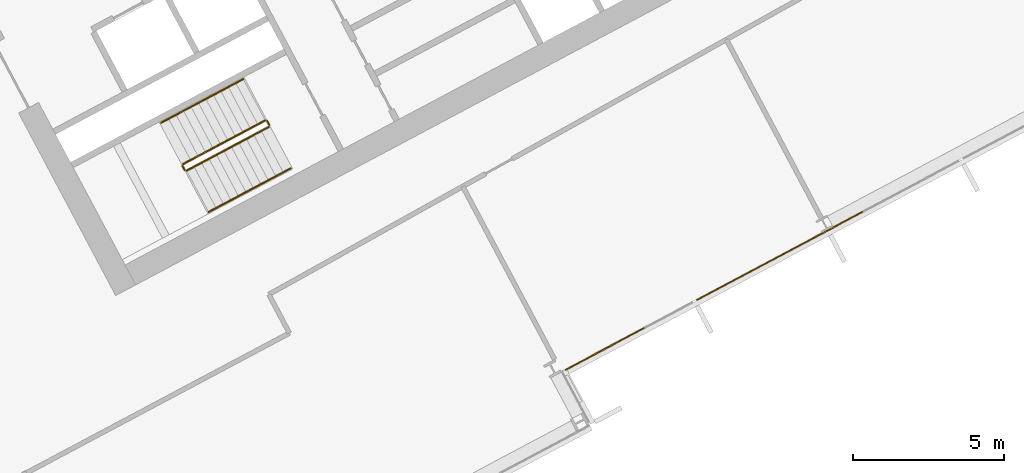
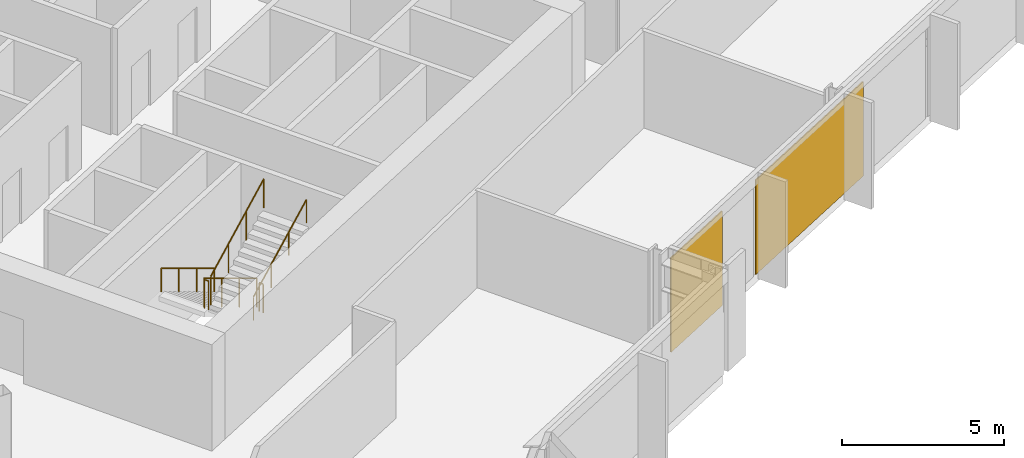
# One storey, part 25 of 28: 6 railings, 2 coverings, 1 element without a shape of its own.
"""IFC4 building model written with IfcOpenShell, lengths in metres."""

from ifc_helpers import new_model, si_unit, direction, frame, origin, origin_2d, place, context, subcontext, project, spatial, polyline, rectangle, outline, extrude, material, layer, layer_set, type_object, element, aggregate, save


model = new_model("IFC4")

# Units and contexts
model_context = context("Model", 3, precision=1e-05, world=origin(), true_north=direction((0.0, 1.0)))
body_context = subcontext(model_context, "Body", "Model", "MODEL_VIEW")
ifc_project = project(units=[si_unit("LENGTHUNIT", "METRE"), si_unit("AREAUNIT", "SQUARE_METRE"), si_unit("VOLUMEUNIT", "CUBIC_METRE"), si_unit("PLANEANGLEUNIT", "RADIAN"), si_unit("MASSUNIT", "GRAM", prefix="KILO")], contexts=[model_context])

# Site, building, storey
site_placement = place(None, origin())
site = spatial("IfcSite", under=ifc_project, at=site_placement, CompositionType="ELEMENT")
building_placement = place(site_placement, origin())
building = spatial("IfcBuilding", under=site, at=building_placement, Name="Cormorant Relay Tower", CompositionType="ELEMENT")
storey_placement = place(building_placement, frame((0.0, 0.0, 122.199951171875)))
storey = spatial("IfcBuildingStorey", under=building, at=storey_placement, Name="L24", CompositionType="ELEMENT", Elevation=122.199951171875)

# Curtain wall, coverings
ifc_material_1 = material(Name="Aluminium 6063-T6 anodised bronze", Category="aluminium")
ifc_layer_1 = layer(ifc_material_1, 0.199951171875)
ifc_layer_set_1 = layer_set([ifc_layer_1], Name="CW1 unitised bronze curtain wall with vertical fins")
curtain_wall_type = type_object("IfcCurtainWallType", Name="CW1 unitised bronze curtain wall with vertical fins", PredefinedType="NOTDEFINED", material=ifc_layer_set_1)
curtain_wall_placement = place(storey_placement, origin())
curtain_wall = element("IfcCurtainWall", 1, at=curtain_wall_placement, inside=storey, type_object=curtain_wall_type, Name="CW1 curtain wall 4", PredefinedType="NOTDEFINED")
ifc_material_2 = material(Name="Pale bronze anodised aluminium insulated panel", Category="aluminium")
ifc_layer_2 = layer(ifc_material_2, 0.0400390625)
ifc_layer_set_2 = layer_set([ifc_layer_2], Name="CW1 pale bronze insulated panel 40")
covering_type = type_object("IfcCoveringType", Name="CW1 pale bronze insulated panel 40", PredefinedType="CLADDING", material=ifc_layer_set_2)
covering_1_placement = place(storey_placement, frame((35.09765625, -2.879638671875, 0.0), z_axis=(0.0, 0.0, 1.0), x_axis=(0.882947592859, 0.469471562786, 0.0)))
covering_1 = element("IfcCovering", 2, at=covering_1_placement, type_object=covering_type, Name="CW1 panel S00", PredefinedType="CLADDING", context=body_context, shape_type="SweptSolid", body=[
    extrude(rectangle(XDim=2.97509765625, YDim=0.0400390625, at=origin_2d()), origin(), (0.0, 0.0, 1.0), 3.550048828125),
])
covering_2_placement = place(storey_placement, frame((40.89208984375, 0.201171875, 0.0), z_axis=(0.0, 0.0, 1.0), x_axis=(0.882947592859, 0.469471562786, 0.0)))
covering_2 = element("IfcCovering", 3, at=covering_2_placement, type_object=covering_type, Name="CW1 panel S02", PredefinedType="CLADDING", context=body_context, shape_type="SweptSolid", body=[
    extrude(rectangle(XDim=6.25, YDim=0.0400390625, at=origin_2d()), origin(), (0.0, 0.0, 1.0), 3.550048828125),
])
aggregate(curtain_wall, [covering_1, covering_2])

# Railings
ifc_material_3 = material(Name="Steel ASTM A572 Grade 50 (Fy 345 MPa)", Category="steel")
railing_type_1 = type_object("IfcRailingType", Name="Stair guard 1100", PredefinedType="GUARDRAIL", material=ifc_material_3)
railing_1_placement = place(storey_placement, frame((23.83837890625, 4.6904296875, 0.166748046875)))
element("IfcRailing", 4, at=railing_1_placement, inside=storey, type_object=railing_type_1, Name="L24 B1 stair guard 1", PredefinedType="GUARDRAIL", context=body_context, shape_type="SweptSolid", body=[
    extrude(outline(polyline([(0.022216796875, 0.00927734375), (0.00927734375, 0.022216796875), (-0.00927734375, 0.022216796875), (-0.022216796875, 0.00927734375), (-0.022216796875, -0.00927734375), (-0.00927734375, -0.022216796875), (0.00927734375, -0.022216796875), (0.022216796875, -0.00927734375), (0.022216796875, 0.00927734375)])), frame((0.0, 0.0, 1.076171875), z_axis=(-0.758713656843, -0.403434867536, 0.511462505542), x_axis=(0.469489399267, -0.882938108802, 0.0)), (0.0, 0.0, 1.0), 3.584228515625),
    extrude(outline(polyline([(0.019287109375, 0.008056640625), (0.008056640625, 0.019287109375), (-0.008056640625, 0.019287109375), (-0.019287109375, 0.008056640625), (-0.019287109375, -0.008056640625), (-0.008056640625, -0.019287109375), (0.008056640625, -0.019287109375), (0.019287109375, -0.008056640625), (0.019287109375, 0.008056640625)])), origin(), (0.0, 0.0, 1.0), 1.052001953125),
    extrude(outline(polyline([(0.019287109375, 0.008056640625), (0.008056640625, 0.019287109375), (-0.008056640625, 0.019287109375), (-0.019287109375, 0.008056640625), (-0.019287109375, -0.008056640625), (-0.008056640625, -0.019287109375), (0.008056640625, -0.019287109375), (0.019287109375, -0.008056640625), (0.019287109375, 0.008056640625)])), frame((-0.906494140625, -0.48193359375, 0.611083984375)), (0.0, 0.0, 1.0), 1.052001953125),
    extrude(outline(polyline([(0.019287109375, 0.008056640625), (0.008056640625, 0.019287109375), (-0.008056640625, 0.019287109375), (-0.019287109375, 0.008056640625), (-0.019287109375, -0.008056640625), (-0.008056640625, -0.019287109375), (0.008056640625, -0.019287109375), (0.019287109375, -0.008056640625), (0.019287109375, 0.008056640625)])), frame((-1.81298828125, -0.964111328125, 1.22216796875)), (0.0, 0.0, 1.0), 1.052001953125),
    extrude(outline(polyline([(0.019287109375, 0.008056640625), (0.008056640625, 0.019287109375), (-0.008056640625, 0.019287109375), (-0.019287109375, 0.008056640625), (-0.019287109375, -0.008056640625), (-0.008056640625, -0.019287109375), (0.008056640625, -0.019287109375), (0.019287109375, -0.008056640625), (0.019287109375, 0.008056640625)])), frame((-2.719482421875, -1.446044921875, 1.833251953125)), (0.0, 0.0, 1.0), 1.052001953125),
])
railing_2_placement = place(storey_placement, frame((21.09814453125, 3.1767578125, 2.0)))
element("IfcRailing", 5, at=railing_2_placement, inside=storey, type_object=railing_type_1, Name="L24 B1 stair guard 2", PredefinedType="GUARDRAIL", context=body_context, shape_type="SweptSolid", body=[
    extrude(outline(polyline([(0.022216796875, 0.00927734375), (0.00927734375, 0.022216796875), (-0.00927734375, 0.022216796875), (-0.022216796875, 0.00927734375), (-0.022216796875, -0.00927734375), (-0.00927734375, -0.022216796875), (0.00927734375, -0.022216796875), (0.022216796875, -0.00927734375), (0.022216796875, 0.00927734375)])), frame((0.0, 0.0, 1.076171875), z_axis=(0.469234640946, -0.883073525669, 0.0), x_axis=(0.883073525669, 0.469234640946, 0.0)), (0.0, 0.0, 1.0), 0.14990234375),
    extrude(outline(polyline([(0.019287109375, 0.008056640625), (0.008056640625, 0.019287109375), (-0.008056640625, 0.019287109375), (-0.019287109375, 0.008056640625), (-0.019287109375, -0.008056640625), (-0.008056640625, -0.019287109375), (0.008056640625, -0.019287109375), (0.019287109375, -0.008056640625), (0.019287109375, 0.008056640625)])), origin(), (0.0, 0.0, 1.0), 1.052001953125),
    extrude(outline(polyline([(0.019287109375, 0.008056640625), (0.008056640625, 0.019287109375), (-0.008056640625, 0.019287109375), (-0.019287109375, 0.008056640625), (-0.019287109375, -0.008056640625), (-0.008056640625, -0.019287109375), (0.008056640625, -0.019287109375), (0.019287109375, -0.008056640625), (0.019287109375, 0.008056640625)])), frame((0.0703125, -0.13232421875, 0.0)), (0.0, 0.0, 1.0), 1.052001953125),
])
railing_3_placement = place(storey_placement, frame((21.236083984375, 3.023681640625, 2.166748046875)))
element("IfcRailing", 6, at=railing_3_placement, inside=storey, type_object=railing_type_1, Name="L24 B1 stair guard 3", PredefinedType="GUARDRAIL", context=body_context, shape_type="SweptSolid", body=[
    extrude(outline(polyline([(0.022216796875, 0.00927734375), (0.00927734375, 0.022216796875), (-0.00927734375, 0.022216796875), (-0.022216796875, 0.00927734375), (-0.022216796875, -0.00927734375), (-0.00927734375, -0.022216796875), (0.00927734375, -0.022216796875), (0.022216796875, -0.00927734375), (0.022216796875, 0.00927734375)])), frame((0.0, 0.0, 1.076171875), z_axis=(0.758713656843, 0.403434867536, 0.511462505542), x_axis=(-0.469489399267, 0.882938108802, 0.0)), (0.0, 0.0, 1.0), 3.584228515625),
    extrude(outline(polyline([(0.019287109375, 0.008056640625), (0.008056640625, 0.019287109375), (-0.008056640625, 0.019287109375), (-0.019287109375, 0.008056640625), (-0.019287109375, -0.008056640625), (-0.008056640625, -0.019287109375), (0.008056640625, -0.019287109375), (0.019287109375, -0.008056640625), (0.019287109375, 0.008056640625)])), origin(), (0.0, 0.0, 1.0), 1.052001953125),
    extrude(outline(polyline([(0.019287109375, 0.008056640625), (0.008056640625, 0.019287109375), (-0.008056640625, 0.019287109375), (-0.019287109375, 0.008056640625), (-0.019287109375, -0.008056640625), (-0.008056640625, -0.019287109375), (0.008056640625, -0.019287109375), (0.019287109375, -0.008056640625), (0.019287109375, 0.008056640625)])), frame((0.906494140625, 0.48193359375, 0.611083984375)), (0.0, 0.0, 1.0), 1.052001953125),
    extrude(outline(polyline([(0.019287109375, 0.008056640625), (0.008056640625, 0.019287109375), (-0.008056640625, 0.019287109375), (-0.019287109375, 0.008056640625), (-0.019287109375, -0.008056640625), (-0.008056640625, -0.019287109375), (0.008056640625, -0.019287109375), (0.019287109375, -0.008056640625), (0.019287109375, 0.008056640625)])), frame((1.81298828125, 0.964111328125, 1.22216796875)), (0.0, 0.0, 1.0), 1.052001953125),
    extrude(outline(polyline([(0.019287109375, 0.008056640625), (0.008056640625, 0.019287109375), (-0.008056640625, 0.019287109375), (-0.019287109375, 0.008056640625), (-0.019287109375, -0.008056640625), (-0.008056640625, -0.019287109375), (0.008056640625, -0.019287109375), (0.019287109375, -0.008056640625), (0.019287109375, 0.008056640625)])), frame((2.719482421875, 1.446044921875, 1.833251953125)), (0.0, 0.0, 1.0), 1.052001953125),
])
railing_4_placement = place(storey_placement, frame((23.906005859375, 4.669677734375, 0.0)))
element("IfcRailing", 7, at=railing_4_placement, inside=storey, type_object=railing_type_1, Name="L24 B1 stair guard 4", PredefinedType="GUARDRAIL", context=body_context, shape_type="SweptSolid", body=[
    extrude(outline(polyline([(0.022216796875, 0.00927734375), (0.00927734375, 0.022216796875), (-0.00927734375, 0.022216796875), (-0.022216796875, 0.00927734375), (-0.022216796875, -0.00927734375), (-0.00927734375, -0.022216796875), (0.00927734375, -0.022216796875), (0.022216796875, -0.00927734375), (0.022216796875, 0.00927734375)])), frame((0.0, 0.0, 1.076171875), z_axis=(0.469234640946, -0.883073525669, 0.0), x_axis=(0.883073525669, 0.469234640946, 0.0)), (0.0, 0.0, 1.0), 0.14990234375),
    extrude(outline(polyline([(0.019287109375, 0.008056640625), (0.008056640625, 0.019287109375), (-0.008056640625, 0.019287109375), (-0.019287109375, 0.008056640625), (-0.019287109375, -0.008056640625), (-0.008056640625, -0.019287109375), (0.008056640625, -0.019287109375), (0.019287109375, -0.008056640625), (0.019287109375, 0.008056640625)])), origin(), (0.0, 0.0, 1.0), 1.052001953125),
    extrude(outline(polyline([(0.019287109375, 0.008056640625), (0.008056640625, 0.019287109375), (-0.008056640625, 0.019287109375), (-0.019287109375, 0.008056640625), (-0.019287109375, -0.008056640625), (-0.008056640625, -0.019287109375), (0.008056640625, -0.019287109375), (0.019287109375, -0.008056640625), (0.019287109375, 0.008056640625)])), frame((0.0703125, -0.13232421875, 0.0)), (0.0, 0.0, 1.0), 1.052001953125),
])
ifc_material_4 = material(Name="Steel ASTM A572 Grade 50 (Fy 345 MPa)", Category="steel")
railing_type_2 = type_object("IfcRailingType", Name="Stair handrail 900", PredefinedType="HANDRAIL", material=ifc_material_4)
railing_5_placement = place(storey_placement, frame((23.110595703125, 6.05908203125, 0.166748046875)))
element("IfcRailing", 8, at=railing_5_placement, inside=storey, type_object=railing_type_2, Name="L24 B1 stair handrail 1", PredefinedType="HANDRAIL", context=body_context, shape_type="SweptSolid", body=[
    extrude(outline(polyline([(0.022216796875, 0.00927734375), (0.00927734375, 0.022216796875), (-0.00927734375, 0.022216796875), (-0.022216796875, 0.00927734375), (-0.022216796875, -0.00927734375), (-0.00927734375, -0.022216796875), (0.00927734375, -0.022216796875), (0.022216796875, -0.00927734375), (0.022216796875, 0.00927734375)])), frame((0.0, 0.0, 0.8759765625), z_axis=(-0.758713656843, -0.403434867536, 0.511462505542), x_axis=(0.469489399267, -0.882938108802, 0.0)), (0.0, 0.0, 1.0), 3.584228515625),
    extrude(outline(polyline([(0.019287109375, 0.008056640625), (0.008056640625, 0.019287109375), (-0.008056640625, 0.019287109375), (-0.019287109375, 0.008056640625), (-0.019287109375, -0.008056640625), (-0.008056640625, -0.019287109375), (0.008056640625, -0.019287109375), (0.019287109375, -0.008056640625), (0.019287109375, 0.008056640625)])), origin(), (0.0, 0.0, 1.0), 0.851806640625),
    extrude(outline(polyline([(0.019287109375, 0.008056640625), (0.008056640625, 0.019287109375), (-0.008056640625, 0.019287109375), (-0.019287109375, 0.008056640625), (-0.019287109375, -0.008056640625), (-0.008056640625, -0.019287109375), (0.008056640625, -0.019287109375), (0.019287109375, -0.008056640625), (0.019287109375, 0.008056640625)])), frame((-0.906494140625, -0.48193359375, 0.611083984375)), (0.0, 0.0, 1.0), 0.851806640625),
    extrude(outline(polyline([(0.019287109375, 0.008056640625), (0.008056640625, 0.019287109375), (-0.008056640625, 0.019287109375), (-0.019287109375, 0.008056640625), (-0.019287109375, -0.008056640625), (-0.008056640625, -0.019287109375), (0.008056640625, -0.019287109375), (0.019287109375, -0.008056640625), (0.019287109375, 0.008056640625)])), frame((-1.81298828125, -0.964111328125, 1.22216796875)), (0.0, 0.0, 1.0), 0.851806640625),
    extrude(outline(polyline([(0.019287109375, 0.008056640625), (0.008056640625, 0.019287109375), (-0.008056640625, 0.019287109375), (-0.019287109375, 0.008056640625), (-0.019287109375, -0.008056640625), (-0.008056640625, -0.019287109375), (0.008056640625, -0.019287109375), (0.019287109375, -0.008056640625), (0.019287109375, 0.008056640625)])), frame((-2.719482421875, -1.446044921875, 1.833251953125)), (0.0, 0.0, 1.0), 0.851806640625),
])
railing_6_placement = place(storey_placement, frame((21.9638671875, 1.6552734375, 2.166748046875)))
element("IfcRailing", 9, at=railing_6_placement, inside=storey, type_object=railing_type_2, Name="L24 B1 stair handrail 2", PredefinedType="HANDRAIL", context=body_context, shape_type="SweptSolid", body=[
    extrude(outline(polyline([(0.022216796875, 0.00927734375), (0.00927734375, 0.022216796875), (-0.00927734375, 0.022216796875), (-0.022216796875, 0.00927734375), (-0.022216796875, -0.00927734375), (-0.00927734375, -0.022216796875), (0.00927734375, -0.022216796875), (0.022216796875, -0.00927734375), (0.022216796875, 0.00927734375)])), frame((0.0, 0.0, 0.8759765625), z_axis=(0.758734504837, 0.403377838015, 0.511476559549), x_axis=(-0.469427602063, 0.882970965786, 0.0)), (0.0, 0.0, 1.0), 3.584228515625),
    extrude(outline(polyline([(0.019287109375, 0.008056640625), (0.008056640625, 0.019287109375), (-0.008056640625, 0.019287109375), (-0.019287109375, 0.008056640625), (-0.019287109375, -0.008056640625), (-0.008056640625, -0.019287109375), (0.008056640625, -0.019287109375), (0.019287109375, -0.008056640625), (0.019287109375, 0.008056640625)])), origin(), (0.0, 0.0, 1.0), 0.851806640625),
    extrude(outline(polyline([(0.019287109375, 0.008056640625), (0.008056640625, 0.019287109375), (-0.008056640625, 0.019287109375), (-0.019287109375, 0.008056640625), (-0.019287109375, -0.008056640625), (-0.008056640625, -0.019287109375), (0.008056640625, -0.019287109375), (0.019287109375, -0.008056640625), (0.019287109375, 0.008056640625)])), frame((0.906494140625, 0.48193359375, 0.611083984375)), (0.0, 0.0, 1.0), 0.851806640625),
    extrude(outline(polyline([(0.019287109375, 0.008056640625), (0.008056640625, 0.019287109375), (-0.008056640625, 0.019287109375), (-0.019287109375, 0.008056640625), (-0.019287109375, -0.008056640625), (-0.008056640625, -0.019287109375), (0.008056640625, -0.019287109375), (0.019287109375, -0.008056640625), (0.019287109375, 0.008056640625)])), frame((1.81298828125, 0.9638671875, 1.22216796875)), (0.0, 0.0, 1.0), 0.851806640625),
    extrude(outline(polyline([(0.019287109375, 0.008056640625), (0.008056640625, 0.019287109375), (-0.008056640625, 0.019287109375), (-0.019287109375, 0.008056640625), (-0.019287109375, -0.008056640625), (-0.008056640625, -0.019287109375), (0.008056640625, -0.019287109375), (0.019287109375, -0.008056640625), (0.019287109375, 0.008056640625)])), frame((2.719482421875, 1.44580078125, 1.833251953125)), (0.0, 0.0, 1.0), 0.851806640625),
])

save(model, "model.ifc")
